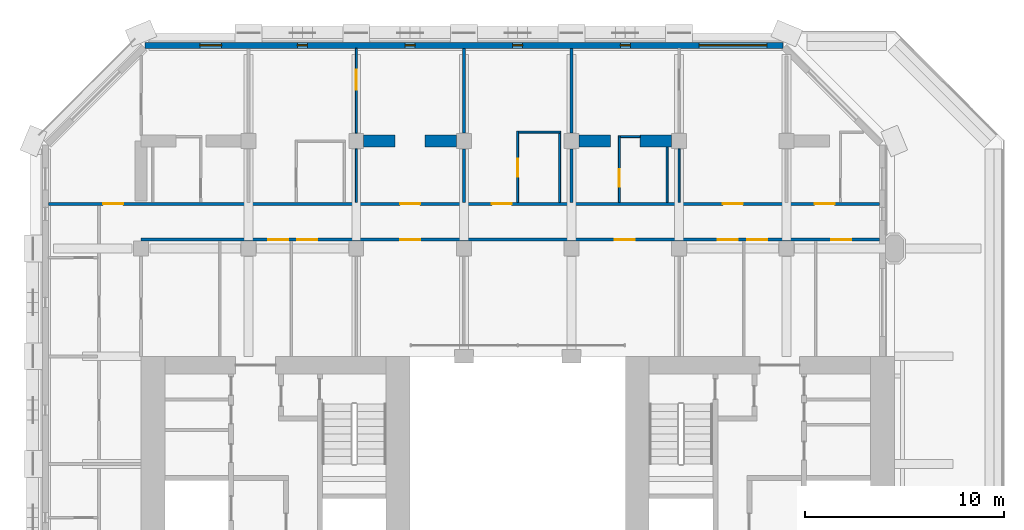
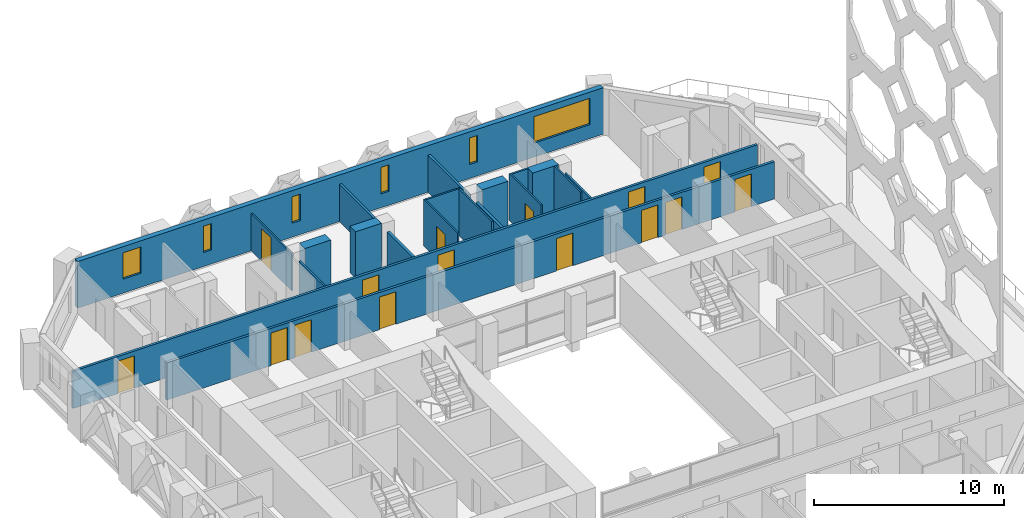
# One storey, part 11 of 15: 20 walls, 15 doors, 6 windows, 21 openings.
"""IFC4 building model written with IfcOpenShell, lengths in metres."""

from ifc_helpers import new_model, si_unit, direction, frame, frame_2d, origin, place, context, subcontext, project, spatial, rectangle, extrude, material, layer, layer_set, type_object, element, fill, save


model = new_model("IFC4")

# Units and contexts
model_context = context("Model", 3, precision=1e-05, world=origin(), true_north=direction((0.0, 1.0)))
body_context = subcontext(model_context, "Body", "Model", "MODEL_VIEW")
ifc_project = project(units=[si_unit("LENGTHUNIT", "METRE"), si_unit("AREAUNIT", "SQUARE_METRE"), si_unit("VOLUMEUNIT", "CUBIC_METRE"), si_unit("PLANEANGLEUNIT", "RADIAN"), si_unit("MASSUNIT", "GRAM", prefix="KILO")], contexts=[model_context])

# Site, building, storey
site_placement = place(None, origin())
site = spatial("IfcSite", under=ifc_project, at=site_placement, CompositionType="ELEMENT")
building_placement = place(site_placement, origin())
building = spatial("IfcBuilding", under=site, at=building_placement, Name="Tabaq Tower and Sports Hall", CompositionType="ELEMENT")
storey_placement = place(building_placement, frame((0.0, 0.0, 207.10009765625)))
storey = spatial("IfcBuildingStorey", under=building, at=storey_placement, Name="L51", CompositionType="ELEMENT", Elevation=207.10009765625)

# Wall
ifc_material_1 = material(Name="Gypsum board on steel studs", Category="steel")
ifc_layer_1 = layer(ifc_material_1, 0.10009765625)
ifc_layer_set_1 = layer_set([ifc_layer_1], Name="Partition 100 Gypsum board")
wall_type_1 = type_object("IfcWallType", Name="Partition 100 Gypsum board", PredefinedType="PARTITIONING", material=ifc_layer_set_1)
wall_1_placement = place(storey_placement, frame((32.39990234375, 40.125, 0.0), z_axis=(0.0, 0.0, 1.0), x_axis=(0.0, 1.0, 0.0)))
element("IfcWall", 1, at=wall_1_placement, inside=storey, type_object=wall_type_1, Name="Partition wall L51", PredefinedType="PARTITIONING", context=body_context, shape_type="SweptSolid", body=[
    extrude(rectangle(XDim=2.679931640625, YDim=0.10009765625, at=frame_2d((1.33984375, 0.0))), origin(), (0.0, 0.0, 1.0), 2.39990234375),
])

# Wall, opening, door
wall_2_placement = place(storey_placement, frame((29.39990234375, 40.125, 0.0), z_axis=(0.0, 0.0, 1.0), x_axis=(0.0, 1.0, 0.0)))
wall_2 = element("IfcWall", 2, at=wall_2_placement, inside=storey, type_object=wall_type_1, Name="Partition wall L51", PredefinedType="PARTITIONING", context=body_context, shape_type="SweptSolid", body=[
    extrude(rectangle(XDim=3.35009765625, YDim=0.10009765625, at=frame_2d((1.675048828125, 0.0))), origin(), (0.0, 0.0, 1.0), 3.0),
])
opening_1_placement = place(wall_2_placement, frame((0.77197265625, 0.0, 0.0)))
opening_1 = element("IfcOpeningElement", 3, at=opening_1_placement, cuts=wall_2, Name="Opening L51-003", PredefinedType="OPENING", context=body_context, shape_type="SweptSolid", body=[
    extrude(rectangle(XDim=0.89990234375, YDim=2.10009765625, at=frame_2d((0.449951171875, 1.050048828125))), frame((0.0, 0.050048828125, 0.0), z_axis=(0.0, -1.0, 0.0), x_axis=(1.0, 0.0, 0.0)), (0.0, 0.0, 1.0), 0.10009765625),
])
ifc_material_2 = material(Name="Timber leaf in steel frame", Category="steel")
door_type_1 = type_object("IfcDoorType", Name="Internal door 900 right hand", OperationType="SINGLE_SWING_RIGHT", PredefinedType="DOOR", material=ifc_material_2)
door_1_placement = place(opening_1_placement, origin())
door_1 = element("IfcDoor", 4, at=door_1_placement, inside=storey, type_object=door_type_1, Name="Internal door L51-003", OperationType="SINGLE_SWING_RIGHT", OverallHeight=2.10009765625, OverallWidth=0.89990234375, PredefinedType="DOOR", context=body_context, shape_type="SweptSolid", body=[
    extrude(rectangle(XDim=0.89990234375, YDim=2.10009765625, at=frame_2d((0.449951171875, 1.050048828125))), frame((0.0, 0.02490234375, 0.0), z_axis=(0.0, -1.0, 0.0), x_axis=(1.0, 0.0, 0.0)), (0.0, 0.0, 1.0), 0.050048828125),
])
fill(opening_1, door_1)

# Walls
wall_3_placement = place(storey_placement, frame((29.449951171875, 43.425048828125, 0.0), z_axis=(0.0, 0.0, 1.0), x_axis=(1.0, 0.0, 0.0)))
element("IfcWall", 5, at=wall_3_placement, inside=storey, type_object=wall_type_1, Name="Partition wall L51", PredefinedType="PARTITIONING", context=body_context, shape_type="SweptSolid", body=[
    extrude(rectangle(XDim=1.0, YDim=0.10009765625, at=frame_2d((0.5, 0.0))), origin(), (0.0, 0.0, 1.0), 3.0),
])
wall_4_placement = place(storey_placement, frame((31.800048828125, 42.89892578125, 0.0), z_axis=(0.0, 0.0, 1.0), x_axis=(0.0, -1.0, 0.0)))
element("IfcWall", 6, at=wall_4_placement, inside=storey, type_object=wall_type_1, Name="Partition wall L51", PredefinedType="PARTITIONING", context=body_context, shape_type="SweptSolid", body=[
    extrude(rectangle(XDim=2.77392578125, YDim=0.10009765625, at=frame_2d((1.386962890625, 0.0))), origin(), (0.0, 0.0, 1.0), 3.0),
])

# Wall, opening, door
wall_5_placement = place(storey_placement, frame((24.300048828125, 40.125, 0.0), z_axis=(0.0, 0.0, 1.0), x_axis=(0.0, 1.0, 0.0)))
wall_5 = element("IfcWall", 7, at=wall_5_placement, inside=storey, type_object=wall_type_1, Name="Partition wall L51", PredefinedType="PARTITIONING", context=body_context, shape_type="SweptSolid", body=[
    extrude(rectangle(XDim=3.574951171875, YDim=0.10009765625, at=frame_2d((1.78759765625, 0.0))), origin(), (0.0, 0.0, 1.0), 3.0),
])
opening_2_placement = place(wall_5_placement, frame((1.27490234375, 0.0, 0.0)))
opening_2 = element("IfcOpeningElement", 8, at=opening_2_placement, cuts=wall_5, Name="Opening L51-004", PredefinedType="OPENING", context=body_context, shape_type="SweptSolid", body=[
    extrude(rectangle(XDim=0.89990234375, YDim=2.10009765625, at=frame_2d((0.449951171875, 1.050048828125))), frame((0.0, 0.050048828125, 0.0), z_axis=(0.0, -1.0, 0.0), x_axis=(1.0, 0.0, 0.0)), (0.0, 0.0, 1.0), 0.10009765625),
])
ifc_material_3 = material(Name="Timber leaf in steel frame", Category="steel")
door_type_2 = type_object("IfcDoorType", Name="Internal door 900 left hand", OperationType="SINGLE_SWING_LEFT", PredefinedType="DOOR", material=ifc_material_3)
door_2_placement = place(opening_2_placement, origin())
door_2 = element("IfcDoor", 9, at=door_2_placement, inside=storey, type_object=door_type_2, Name="Internal door L51-004", OperationType="SINGLE_SWING_LEFT", OverallHeight=2.10009765625, OverallWidth=0.89990234375, PredefinedType="DOOR", context=body_context, shape_type="SweptSolid", body=[
    extrude(rectangle(XDim=0.89990234375, YDim=2.10009765625, at=frame_2d((0.449951171875, 1.050048828125))), frame((0.0, 0.02490234375, 0.0), z_axis=(0.0, -1.0, 0.0), x_axis=(1.0, 0.0, 0.0)), (0.0, 0.0, 1.0), 0.050048828125),
])
fill(opening_2, door_2)

# Walls
wall_6_placement = place(storey_placement, frame((24.35009765625, 43.64990234375, 0.0), z_axis=(0.0, 0.0, 1.0), x_axis=(1.0, 0.0, 0.0)))
element("IfcWall", 10, at=wall_6_placement, inside=storey, type_object=wall_type_1, Name="Partition wall L51", PredefinedType="PARTITIONING", context=body_context, shape_type="SweptSolid", body=[
    extrude(rectangle(XDim=2.099853515625, YDim=0.10009765625, at=frame_2d((1.0498046875, 0.0))), origin(), (0.0, 0.0, 1.0), 3.0),
])
wall_7_placement = place(storey_placement, frame((26.39990234375, 43.60009765625, 0.0), z_axis=(0.0, 0.0, 1.0), x_axis=(0.0, -1.0, 0.0)))
element("IfcWall", 11, at=wall_7_placement, inside=storey, type_object=wall_type_1, Name="Partition wall L51", PredefinedType="PARTITIONING", context=body_context, shape_type="SweptSolid", body=[
    extrude(rectangle(XDim=3.47509765625, YDim=0.10009765625, at=frame_2d((1.737548828125, 0.0))), origin(), (0.0, 0.0, 1.0), 3.0),
])
wall_8_placement = place(storey_placement, frame((16.199951171875, 40.125, 0.0), z_axis=(0.0, 0.0, 1.0), x_axis=(0.0, 1.0, 0.0)))
element("IfcWall", 12, at=wall_8_placement, inside=storey, type_object=wall_type_1, Name="Partition wall L51", PredefinedType="PARTITIONING", context=body_context, shape_type="SweptSolid", body=[
    extrude(rectangle(XDim=2.679931640625, YDim=0.10009765625, at=frame_2d((1.33984375, 0.0))), origin(), (0.0, 0.0, 1.0), 2.39990234375),
])

# Wall, opening, door
wall_9_placement = place(storey_placement, frame((16.199951171875, 43.594970703125, 0.0), z_axis=(0.0, 0.0, 1.0), x_axis=(0.0, 1.0, 0.0)))
wall_9 = element("IfcWall", 13, at=wall_9_placement, inside=storey, type_object=wall_type_1, Name="Partition wall L51", PredefinedType="PARTITIONING", context=body_context, shape_type="SweptSolid", body=[
    extrude(rectangle(XDim=4.254150390625, YDim=0.10009765625, at=frame_2d((2.126953125, 0.0))), origin(), (0.0, 0.0, 1.0), 2.39990234375),
])
opening_3_placement = place(wall_9_placement, frame((2.179931640625, 0.0, 0.0)))
opening_3 = element("IfcOpeningElement", 14, at=opening_3_placement, cuts=wall_9, Name="Opening L51-032", PredefinedType="OPENING", context=body_context, shape_type="SweptSolid", body=[
    extrude(rectangle(XDim=1.0, YDim=2.10009765625, at=frame_2d((0.5, 1.050048828125))), frame((0.0, 0.050048828125, 0.0), z_axis=(0.0, -1.0, 0.0), x_axis=(1.0, 0.0, 0.0)), (0.0, 0.0, 1.0), 0.10009765625),
])
ifc_material_4 = material(Name="Timber leaf in steel frame", Category="steel")
door_type_3 = type_object("IfcDoorType", Name="Internal door 1000 left hand", OperationType="SINGLE_SWING_LEFT", PredefinedType="DOOR", material=ifc_material_4)
door_3_placement = place(opening_3_placement, origin())
door_3 = element("IfcDoor", 15, at=door_3_placement, inside=storey, type_object=door_type_3, Name="Internal door L51-032", OperationType="SINGLE_SWING_LEFT", OverallHeight=2.10009765625, OverallWidth=1.0, PredefinedType="DOOR", context=body_context, shape_type="SweptSolid", body=[
    extrude(rectangle(XDim=1.0, YDim=2.10009765625, at=frame_2d((0.5, 1.050048828125))), frame((0.0, 0.02490234375, 0.0), z_axis=(0.0, -1.0, 0.0), x_axis=(1.0, 0.0, 0.0)), (0.0, 0.0, 1.0), 0.050048828125),
])
fill(opening_3, door_3)

# Walls
ifc_material_5 = material(Name="Concrete C50/60", Category="concrete")
ifc_layer_2 = layer(ifc_material_5, 0.60009765625)
ifc_layer_set_2 = layer_set([ifc_layer_2], Name="RC TRANSFER WALL 600 C50/60")
wall_type_2 = type_object("IfcWallType", Name="RC TRANSFER WALL 600 C50/60", PredefinedType="SHEAR", material=ifc_layer_set_2)
wall_10_placement = place(storey_placement, frame((16.574951171875, 43.199951171875, 0.0), z_axis=(0.0, 0.0, 1.0), x_axis=(1.0, 0.0, 0.0)))
element("IfcWall", 16, at=wall_10_placement, inside=storey, type_object=wall_type_2, Name="Transfer Wall L51 North 6", PredefinedType="SHEAR", context=body_context, shape_type="SweptSolid", body=[
    extrude(rectangle(XDim=1.574951171875, YDim=0.60009765625, at=frame_2d((0.78759765625, 0.0))), origin(), (0.0, 0.0, 1.0), 3.0),
])
wall_11_placement = place(storey_placement, frame((19.64990234375, 43.199951171875, 0.0), z_axis=(0.0, 0.0, 1.0), x_axis=(1.0, 0.0, 0.0)))
element("IfcWall", 17, at=wall_11_placement, inside=storey, type_object=wall_type_2, Name="Transfer Wall L51 North 7", PredefinedType="SHEAR", context=body_context, shape_type="SweptSolid", body=[
    extrude(rectangle(XDim=1.5751953125, YDim=0.60009765625, at=frame_2d((0.78759765625, 0.0))), origin(), (0.0, 0.0, 1.0), 3.0),
])
for number, where, z_axis, x_axis, name in (
    (18, (27.375, 43.199951171875, 0.0), (0.0, 0.0, 1.0), (1.0, 0.0, 0.0), "Transfer Wall L51 North 8"),
    (19, (30.449951171875, 43.199951171875, 0.0), (0.0, 0.0, 1.0), (1.0, 0.0, 0.0), "Transfer Wall L51 North 9"),
):
    element("IfcWall", number, at=place(storey_placement, frame(where, z_axis=z_axis, x_axis=x_axis)), inside=storey, type_object=wall_type_2, Name=name, PredefinedType="SHEAR", context=body_context, shape_type="SweptSolid", body=[
        extrude(rectangle(XDim=1.574951171875, YDim=0.60009765625, at=frame_2d((0.78759765625, 0.0))), origin(), (0.0, 0.0, 1.0), 3.0),
    ])
ifc_material_6 = material(Name="Blockwork", Category="masonry")
ifc_layer_3 = layer(ifc_material_6, 0.14990234375)
ifc_layer_set_3 = layer_set([ifc_layer_3], Name="Separating wall 150 Blockwork")
wall_type_3 = type_object("IfcWallType", Name="Separating wall 150 Blockwork", PredefinedType="PARTITIONING", material=ifc_layer_set_3)
wall_12_placement = place(storey_placement, frame((27.0, 47.84912109375, 0.0), z_axis=(0.0, 0.0, 1.0), x_axis=(0.0, -1.0, 0.0)))
element("IfcWall", 20, at=wall_12_placement, inside=storey, type_object=wall_type_3, Name="Separating wall L51", PredefinedType="PARTITIONING", context=body_context, shape_type="SweptSolid", body=[
    extrude(rectangle(XDim=4.254150390625, YDim=0.14990234375, at=frame_2d((2.126953125, 0.0))), origin(), (0.0, 0.0, 1.0), 2.39990234375),
])
wall_13_placement = place(storey_placement, frame((27.0, 42.804931640625, 0.0), z_axis=(0.0, 0.0, 1.0), x_axis=(0.0, -1.0, 0.0)))
element("IfcWall", 21, at=wall_13_placement, inside=storey, type_object=wall_type_3, Name="Separating wall L51", PredefinedType="PARTITIONING", context=body_context, shape_type="SweptSolid", body=[
    extrude(rectangle(XDim=2.679931640625, YDim=0.14990234375, at=frame_2d((1.33984375, 0.0))), origin(), (0.0, 0.0, 1.0), 2.39990234375),
])
wall_14_placement = place(storey_placement, frame((21.60009765625, 47.84912109375, 0.0), z_axis=(0.0, 0.0, 1.0), x_axis=(0.0, -1.0, 0.0)))
element("IfcWall", 22, at=wall_14_placement, inside=storey, type_object=wall_type_3, Name="Separating wall L51", PredefinedType="PARTITIONING", context=body_context, shape_type="SweptSolid", body=[
    extrude(rectangle(XDim=4.254150390625, YDim=0.14990234375, at=frame_2d((2.126953125, 0.0))), origin(), (0.0, 0.0, 1.0), 2.39990234375),
])
wall_15_placement = place(storey_placement, frame((21.60009765625, 42.804931640625, 0.0), z_axis=(0.0, 0.0, 1.0), x_axis=(0.0, -1.0, 0.0)))
element("IfcWall", 23, at=wall_15_placement, inside=storey, type_object=wall_type_3, Name="Separating wall L51", PredefinedType="PARTITIONING", context=body_context, shape_type="SweptSolid", body=[
    extrude(rectangle(XDim=2.679931640625, YDim=0.14990234375, at=frame_2d((1.33984375, 0.0))), origin(), (0.0, 0.0, 1.0), 2.39990234375),
])

# Wall, openings, doors
wall_16_placement = place(storey_placement, frame((42.448974609375, 40.050048828125, 0.0), z_axis=(0.0, 0.0, 1.0), x_axis=(-1.0, 0.0, 0.0)))
wall_16 = element("IfcWall", 24, at=wall_16_placement, inside=storey, type_object=wall_type_3, Name="Separating wall L51", PredefinedType="PARTITIONING", context=body_context, shape_type="SweptSolid", body=[
    extrude(rectangle(XDim=41.697998046875, YDim=0.14990234375, at=frame_2d((20.84912109375, 0.0))), origin(), (0.0, 0.0, 1.0), 2.39990234375),
])
opening_4_placement = place(wall_16_placement, frame((2.2490234375, 0.0, 0.0)))
opening_4 = element("IfcOpeningElement", 25, at=opening_4_placement, cuts=wall_16, Name="Opening L51-028", PredefinedType="OPENING", context=body_context, shape_type="SweptSolid", body=[
    extrude(rectangle(XDim=1.0, YDim=2.10009765625, at=frame_2d((0.5, 1.050048828125))), frame((0.0, 0.074951171875, 0.0), z_axis=(0.0, -1.0, 0.0), x_axis=(1.0, 0.0, 0.0)), (0.0, 0.0, 1.0), 0.14990234375),
])
opening_5_placement = place(wall_16_placement, frame((6.84912109375, 0.0, 0.0)))
opening_5 = element("IfcOpeningElement", 26, at=opening_5_placement, cuts=wall_16, Name="Opening L51-030", PredefinedType="OPENING", context=body_context, shape_type="SweptSolid", body=[
    extrude(rectangle(XDim=1.0, YDim=2.10009765625, at=frame_2d((0.5, 1.050048828125))), frame((0.0, 0.074951171875, 0.0), z_axis=(0.0, -1.0, 0.0), x_axis=(1.0, 0.0, 0.0)), (0.0, 0.0, 1.0), 0.14990234375),
])
opening_6_placement = place(wall_16_placement, frame((18.448974609375, 0.0, 0.0)))
opening_6 = element("IfcOpeningElement", 27, at=opening_6_placement, cuts=wall_16, Name="Opening L51-031", PredefinedType="OPENING", context=body_context, shape_type="SweptSolid", body=[
    extrude(rectangle(XDim=1.0, YDim=2.10009765625, at=frame_2d((0.5, 1.050048828125))), frame((0.0, 0.074951171875, 0.0), z_axis=(0.0, -1.0, 0.0), x_axis=(1.0, 0.0, 0.0)), (0.0, 0.0, 1.0), 0.14990234375),
])
opening_7_placement = place(wall_16_placement, frame((23.049072265625, 0.0, 0.0)))
opening_7 = element("IfcOpeningElement", 28, at=opening_7_placement, cuts=wall_16, Name="Opening L51-033", PredefinedType="OPENING", context=body_context, shape_type="SweptSolid", body=[
    extrude(rectangle(XDim=1.0, YDim=2.10009765625, at=frame_2d((0.5, 1.050048828125))), frame((0.0, 0.074951171875, 0.0), z_axis=(0.0, -1.0, 0.0), x_axis=(1.0, 0.0, 0.0)), (0.0, 0.0, 1.0), 0.14990234375),
])
opening_8_placement = place(wall_16_placement, frame((37.9541015625, 0.0, 0.0)))
opening_8 = element("IfcOpeningElement", 29, at=opening_8_placement, cuts=wall_16, Name="Opening L51-035", PredefinedType="OPENING", context=body_context, shape_type="SweptSolid", body=[
    extrude(rectangle(XDim=1.0, YDim=2.10009765625, at=frame_2d((0.5, 1.050048828125))), frame((0.0, 0.074951171875, 0.0), z_axis=(0.0, -1.0, 0.0), x_axis=(1.0, 0.0, 0.0)), (0.0, 0.0, 1.0), 0.14990234375),
])
ifc_material_7 = material(Name="Steel fire door", Category="steel")
door_type_4 = type_object("IfcDoorType", Name="Entrance door 1000 left hand", OperationType="SINGLE_SWING_LEFT", PredefinedType="DOOR", material=ifc_material_7)
door_4_placement = place(opening_6_placement, origin())
door_4 = element("IfcDoor", 30, at=door_4_placement, inside=storey, type_object=door_type_4, Name="Entrance door L51-031", OperationType="SINGLE_SWING_LEFT", OverallHeight=2.10009765625, OverallWidth=1.0, PredefinedType="DOOR", context=body_context, shape_type="SweptSolid", body=[
    extrude(rectangle(XDim=1.0, YDim=2.10009765625, at=frame_2d((0.5, 1.050048828125))), frame((0.0, 0.02490234375, 0.0), z_axis=(0.0, -1.0, 0.0), x_axis=(1.0, 0.0, 0.0)), (0.0, 0.0, 1.0), 0.050048828125),
])
fill(opening_6, door_4)
door_5_placement = place(opening_7_placement, origin())
door_5 = element("IfcDoor", 31, at=door_5_placement, inside=storey, type_object=door_type_4, Name="Entrance door L51-033", OperationType="SINGLE_SWING_LEFT", OverallHeight=2.10009765625, OverallWidth=1.0, PredefinedType="DOOR", context=body_context, shape_type="SweptSolid", body=[
    extrude(rectangle(XDim=1.0, YDim=2.10009765625, at=frame_2d((0.5, 1.050048828125))), frame((0.0, 0.02490234375, 0.0), z_axis=(0.0, -1.0, 0.0), x_axis=(1.0, 0.0, 0.0)), (0.0, 0.0, 1.0), 0.050048828125),
])
fill(opening_7, door_5)
door_6_placement = place(opening_8_placement, origin())
door_6 = element("IfcDoor", 32, at=door_6_placement, inside=storey, type_object=door_type_4, Name="Entrance door L51-035", OperationType="SINGLE_SWING_LEFT", OverallHeight=2.10009765625, OverallWidth=1.0, PredefinedType="DOOR", context=body_context, shape_type="SweptSolid", body=[
    extrude(rectangle(XDim=1.0, YDim=2.10009765625, at=frame_2d((0.5, 1.050048828125))), frame((0.0, 0.02490234375, 0.0), z_axis=(0.0, -1.0, 0.0), x_axis=(1.0, 0.0, 0.0)), (0.0, 0.0, 1.0), 0.050048828125),
])
fill(opening_8, door_6)
ifc_material_8 = material(Name="Steel fire door", Category="steel")
door_type_5 = type_object("IfcDoorType", Name="Entrance door 1000 right hand", OperationType="SINGLE_SWING_RIGHT", PredefinedType="DOOR", material=ifc_material_8)
door_7_placement = place(opening_4_placement, origin())
door_7 = element("IfcDoor", 33, at=door_7_placement, inside=storey, type_object=door_type_5, Name="Entrance door L51-028", OperationType="SINGLE_SWING_RIGHT", OverallHeight=2.10009765625, OverallWidth=1.0, PredefinedType="DOOR", context=body_context, shape_type="SweptSolid", body=[
    extrude(rectangle(XDim=1.0, YDim=2.10009765625, at=frame_2d((0.5, 1.050048828125))), frame((0.0, 0.02490234375, 0.0), z_axis=(0.0, -1.0, 0.0), x_axis=(1.0, 0.0, 0.0)), (0.0, 0.0, 1.0), 0.050048828125),
])
fill(opening_4, door_7)
door_8_placement = place(opening_5_placement, origin())
door_8 = element("IfcDoor", 34, at=door_8_placement, inside=storey, type_object=door_type_5, Name="Entrance door L51-030", OperationType="SINGLE_SWING_RIGHT", OverallHeight=2.10009765625, OverallWidth=1.0, PredefinedType="DOOR", context=body_context, shape_type="SweptSolid", body=[
    extrude(rectangle(XDim=1.0, YDim=2.10009765625, at=frame_2d((0.5, 1.050048828125))), frame((0.0, 0.02490234375, 0.0), z_axis=(0.0, -1.0, 0.0), x_axis=(1.0, 0.0, 0.0)), (0.0, 0.0, 1.0), 0.050048828125),
])
fill(opening_5, door_8)

wall_17_placement = place(storey_placement, frame((42.448974609375, 38.25, 0.0), z_axis=(0.0, 0.0, 1.0), x_axis=(-1.0, 0.0, 0.0)))
wall_17 = element("IfcWall", 35, at=wall_17_placement, inside=storey, type_object=wall_type_3, Name="Separating wall L51", PredefinedType="PARTITIONING", context=body_context, shape_type="SweptSolid", body=[
    extrude(rectangle(XDim=37.049072265625, YDim=0.14990234375, at=frame_2d((18.5244140625, 0.0))), origin(), (0.0, 0.0, 1.0), 2.39990234375),
])
opening_9_placement = place(wall_17_placement, frame((12.26611328125, 0.0, 0.0)))
opening_9 = element("IfcOpeningElement", 36, at=opening_9_placement, cuts=wall_17, Name="Opening L51-007", PredefinedType="OPENING", context=body_context, shape_type="SweptSolid", body=[
    extrude(rectangle(XDim=1.0, YDim=2.10009765625, at=frame_2d((0.5, 1.050048828125))), frame((0.0, 0.074951171875, 0.0), z_axis=(0.0, -1.0, 0.0), x_axis=(1.0, 0.0, 0.0)), (0.0, 0.0, 1.0), 0.14990234375),
])
opening_10_placement = place(wall_17_placement, frame((23.049072265625, 0.0, 0.0)))
opening_10 = element("IfcOpeningElement", 37, at=opening_10_placement, cuts=wall_17, Name="Opening L51-008", PredefinedType="OPENING", context=body_context, shape_type="SweptSolid", body=[
    extrude(rectangle(XDim=1.0, YDim=2.10009765625, at=frame_2d((0.5, 1.050048828125))), frame((0.0, 0.074951171875, 0.0), z_axis=(0.0, -1.0, 0.0), x_axis=(1.0, 0.0, 0.0)), (0.0, 0.0, 1.0), 0.14990234375),
])
opening_11_placement = place(wall_17_placement, frame((1.408935546875, 0.0, 0.0)))
opening_11 = element("IfcOpeningElement", 38, at=opening_11_placement, cuts=wall_17, Name="Opening L51-010", PredefinedType="OPENING", context=body_context, shape_type="SweptSolid", body=[
    extrude(rectangle(XDim=1.0, YDim=2.10009765625, at=frame_2d((0.5, 1.050048828125))), frame((0.0, 0.074951171875, 0.0), z_axis=(0.0, -1.0, 0.0), x_axis=(1.0, 0.0, 0.0)), (0.0, 0.0, 1.0), 0.14990234375),
])
opening_12_placement = place(wall_17_placement, frame((28.198974609375, 0.0, 0.0)))
opening_12 = element("IfcOpeningElement", 39, at=opening_12_placement, cuts=wall_17, Name="Opening L51-011", PredefinedType="OPENING", context=body_context, shape_type="SweptSolid", body=[
    extrude(rectangle(XDim=1.0, YDim=2.10009765625, at=frame_2d((0.5, 1.050048828125))), frame((0.0, 0.074951171875, 0.0), z_axis=(0.0, -1.0, 0.0), x_axis=(1.0, 0.0, 0.0)), (0.0, 0.0, 1.0), 0.14990234375),
])
opening_13_placement = place(wall_17_placement, frame((7.09912109375, 0.0, 0.0)))
opening_13 = element("IfcOpeningElement", 40, at=opening_13_placement, cuts=wall_17, Name="Opening L51-013", PredefinedType="OPENING", context=body_context, shape_type="SweptSolid", body=[
    extrude(rectangle(XDim=1.0, YDim=2.10009765625, at=frame_2d((0.5, 1.050048828125))), frame((0.0, 0.074951171875, 0.0), z_axis=(0.0, -1.0, 0.0), x_axis=(1.0, 0.0, 0.0)), (0.0, 0.0, 1.0), 0.14990234375),
])
opening_14_placement = place(wall_17_placement, frame((5.62890625, 0.0, 0.0)))
opening_14 = element("IfcOpeningElement", 41, at=opening_14_placement, cuts=wall_17, Name="Opening L51-036", PredefinedType="OPENING", context=body_context, shape_type="SweptSolid", body=[
    extrude(rectangle(XDim=1.0, YDim=2.10009765625, at=frame_2d((0.5, 1.050048828125))), frame((0.0, 0.074951171875, 0.0), z_axis=(0.0, -1.0, 0.0), x_axis=(1.0, 0.0, 0.0)), (0.0, 0.0, 1.0), 0.14990234375),
])
opening_15_placement = place(wall_17_placement, frame((29.6689453125, 0.0, 0.0)))
opening_15 = element("IfcOpeningElement", 42, at=opening_15_placement, cuts=wall_17, Name="Opening L51-037", PredefinedType="OPENING", context=body_context, shape_type="SweptSolid", body=[
    extrude(rectangle(XDim=1.0, YDim=2.10009765625, at=frame_2d((0.5, 1.050048828125))), frame((0.0, 0.074951171875, 0.0), z_axis=(0.0, -1.0, 0.0), x_axis=(1.0, 0.0, 0.0)), (0.0, 0.0, 1.0), 0.14990234375),
])
door_9_placement = place(opening_9_placement, origin())
door_9 = element("IfcDoor", 43, at=door_9_placement, inside=storey, type_object=door_type_3, Name="Internal door L51-007", OperationType="SINGLE_SWING_LEFT", OverallHeight=2.10009765625, OverallWidth=1.0, PredefinedType="DOOR", context=body_context, shape_type="SweptSolid", body=[
    extrude(rectangle(XDim=1.0, YDim=2.10009765625, at=frame_2d((0.5, 1.050048828125))), frame((0.0, 0.02490234375, 0.0), z_axis=(0.0, -1.0, 0.0), x_axis=(1.0, 0.0, 0.0)), (0.0, 0.0, 1.0), 0.050048828125),
])
fill(opening_9, door_9)
door_10_placement = place(opening_13_placement, origin())
door_10 = element("IfcDoor", 44, at=door_10_placement, inside=storey, type_object=door_type_3, Name="Internal door L51-013", OperationType="SINGLE_SWING_LEFT", OverallHeight=2.10009765625, OverallWidth=1.0, PredefinedType="DOOR", context=body_context, shape_type="SweptSolid", body=[
    extrude(rectangle(XDim=1.0, YDim=2.10009765625, at=frame_2d((0.5, 1.050048828125))), frame((0.0, 0.02490234375, 0.0), z_axis=(0.0, -1.0, 0.0), x_axis=(1.0, 0.0, 0.0)), (0.0, 0.0, 1.0), 0.050048828125),
])
fill(opening_13, door_10)
door_11_placement = place(opening_14_placement, origin())
door_11 = element("IfcDoor", 45, at=door_11_placement, inside=storey, type_object=door_type_3, Name="Internal door L51-036", OperationType="SINGLE_SWING_LEFT", OverallHeight=2.10009765625, OverallWidth=1.0, PredefinedType="DOOR", context=body_context, shape_type="SweptSolid", body=[
    extrude(rectangle(XDim=1.0, YDim=2.10009765625, at=frame_2d((0.5, 1.050048828125))), frame((0.0, 0.02490234375, 0.0), z_axis=(0.0, -1.0, 0.0), x_axis=(1.0, 0.0, 0.0)), (0.0, 0.0, 1.0), 0.050048828125),
])
fill(opening_14, door_11)
ifc_material_9 = material(Name="Timber leaf in steel frame", Category="steel")
door_type_6 = type_object("IfcDoorType", Name="Internal door 1000 right hand", OperationType="SINGLE_SWING_RIGHT", PredefinedType="DOOR", material=ifc_material_9)
door_12_placement = place(opening_10_placement, origin())
door_12 = element("IfcDoor", 46, at=door_12_placement, inside=storey, type_object=door_type_6, Name="Internal door L51-008", OperationType="SINGLE_SWING_RIGHT", OverallHeight=2.10009765625, OverallWidth=1.0, PredefinedType="DOOR", context=body_context, shape_type="SweptSolid", body=[
    extrude(rectangle(XDim=1.0, YDim=2.10009765625, at=frame_2d((0.5, 1.050048828125))), frame((0.0, 0.02490234375, 0.0), z_axis=(0.0, -1.0, 0.0), x_axis=(1.0, 0.0, 0.0)), (0.0, 0.0, 1.0), 0.050048828125),
])
fill(opening_10, door_12)
door_13_placement = place(opening_11_placement, origin())
door_13 = element("IfcDoor", 47, at=door_13_placement, inside=storey, type_object=door_type_6, Name="Internal door L51-010", OperationType="SINGLE_SWING_RIGHT", OverallHeight=2.10009765625, OverallWidth=1.0, PredefinedType="DOOR", context=body_context, shape_type="SweptSolid", body=[
    extrude(rectangle(XDim=1.0, YDim=2.10009765625, at=frame_2d((0.5, 1.050048828125))), frame((0.0, 0.02490234375, 0.0), z_axis=(0.0, -1.0, 0.0), x_axis=(1.0, 0.0, 0.0)), (0.0, 0.0, 1.0), 0.050048828125),
])
fill(opening_11, door_13)
door_14_placement = place(opening_12_placement, origin())
door_14 = element("IfcDoor", 48, at=door_14_placement, inside=storey, type_object=door_type_6, Name="Internal door L51-011", OperationType="SINGLE_SWING_RIGHT", OverallHeight=2.10009765625, OverallWidth=1.0, PredefinedType="DOOR", context=body_context, shape_type="SweptSolid", body=[
    extrude(rectangle(XDim=1.0, YDim=2.10009765625, at=frame_2d((0.5, 1.050048828125))), frame((0.0, 0.02490234375, 0.0), z_axis=(0.0, -1.0, 0.0), x_axis=(1.0, 0.0, 0.0)), (0.0, 0.0, 1.0), 0.050048828125),
])
fill(opening_12, door_14)
door_15_placement = place(opening_15_placement, origin())
door_15 = element("IfcDoor", 49, at=door_15_placement, inside=storey, type_object=door_type_6, Name="Internal door L51-037", OperationType="SINGLE_SWING_RIGHT", OverallHeight=2.10009765625, OverallWidth=1.0, PredefinedType="DOOR", context=body_context, shape_type="SweptSolid", body=[
    extrude(rectangle(XDim=1.0, YDim=2.10009765625, at=frame_2d((0.5, 1.050048828125))), frame((0.0, 0.02490234375, 0.0), z_axis=(0.0, -1.0, 0.0), x_axis=(1.0, 0.0, 0.0)), (0.0, 0.0, 1.0), 0.050048828125),
])
fill(opening_15, door_15)

# Wall, openings, windows
ifc_material_10 = material(Name="White precast concrete C60/75", Category="concrete")
ifc_layer_4 = layer(ifc_material_10, 0.300048828125)
ifc_layer_set_4 = layer_set([ifc_layer_4], Name="White precast concrete C60/75 external wall 300")
wall_type_4 = type_object("IfcWallType", Name="White precast concrete C60/75 external wall 300", PredefinedType="SOLIDWALL", material=ifc_layer_set_4)
wall_18_placement = place(storey_placement, frame((37.613525390625, 48.0, 0.0), z_axis=(0.0, 0.0, 1.0), x_axis=(-1.0, 0.0, 0.0)))
wall_18 = element("IfcWall", 50, at=wall_18_placement, inside=storey, type_object=wall_type_4, Name="External Wall L51 N", PredefinedType="SOLIDWALL", context=body_context, shape_type="SweptSolid", body=[
    extrude(rectangle(XDim=32.027099609375, YDim=0.300048828125, at=frame_2d((16.013671875, 0.0))), origin(), (0.0, 0.0, 1.0), 3.0),
])
opening_16_placement = place(wall_18_placement, frame((0.813720703125, 0.0, 0.89990234375)))
opening_16 = element("IfcOpeningElement", 51, at=opening_16_placement, cuts=wall_18, Name="Opening W1A", PredefinedType="OPENING", context=body_context, shape_type="SweptSolid", body=[
    extrude(rectangle(XDim=3.39990234375, YDim=1.699951171875, at=frame_2d((1.699951171875, 0.85009765625))), frame((0.0, 0.16015625, 0.0), z_axis=(0.0, -1.0, 0.0), x_axis=(1.0, 0.0, 0.0)), (0.0, 0.0, 1.0), 0.320068359375),
])
opening_17_placement = place(wall_18_placement, frame((7.66357421875, 0.0, 0.89990234375)))
opening_17 = element("IfcOpeningElement", 52, at=opening_17_placement, cuts=wall_18, Name="Opening W1E", PredefinedType="OPENING", context=body_context, shape_type="SweptSolid", body=[
    extrude(rectangle(XDim=0.5, YDim=1.699951171875, at=frame_2d((0.25, 0.85009765625))), frame((0.0, 0.16015625, 0.0), z_axis=(0.0, -1.0, 0.0), x_axis=(1.0, 0.0, 0.0)), (0.0, 0.0, 1.0), 0.320068359375),
])
opening_18_placement = place(wall_18_placement, frame((13.063720703125, 0.0, 0.89990234375)))
opening_18 = element("IfcOpeningElement", 53, at=opening_18_placement, cuts=wall_18, Name="Opening W1E", PredefinedType="OPENING", context=body_context, shape_type="SweptSolid", body=[
    extrude(rectangle(XDim=0.5, YDim=1.699951171875, at=frame_2d((0.25, 0.85009765625))), frame((0.0, 0.16015625, 0.0), z_axis=(0.0, -1.0, 0.0), x_axis=(1.0, 0.0, 0.0)), (0.0, 0.0, 1.0), 0.320068359375),
])
opening_19_placement = place(wall_18_placement, frame((18.463623046875, 0.0, 0.89990234375)))
opening_19 = element("IfcOpeningElement", 54, at=opening_19_placement, cuts=wall_18, Name="Opening W1E", PredefinedType="OPENING", context=body_context, shape_type="SweptSolid", body=[
    extrude(rectangle(XDim=0.5, YDim=1.699951171875, at=frame_2d((0.25, 0.85009765625))), frame((0.0, 0.16015625, 0.0), z_axis=(0.0, -1.0, 0.0), x_axis=(1.0, 0.0, 0.0)), (0.0, 0.0, 1.0), 0.320068359375),
])
opening_20_placement = place(wall_18_placement, frame((23.863525390625, 0.0, 0.89990234375)))
opening_20 = element("IfcOpeningElement", 55, at=opening_20_placement, cuts=wall_18, Name="Opening W1E", PredefinedType="OPENING", context=body_context, shape_type="SweptSolid", body=[
    extrude(rectangle(XDim=0.5, YDim=1.699951171875, at=frame_2d((0.25, 0.85009765625))), frame((0.0, 0.16015625, 0.0), z_axis=(0.0, -1.0, 0.0), x_axis=(1.0, 0.0, 0.0)), (0.0, 0.0, 1.0), 0.320068359375),
])
opening_21_placement = place(wall_18_placement, frame((28.16357421875, 0.0, 0.89990234375)))
opening_21 = element("IfcOpeningElement", 56, at=opening_21_placement, cuts=wall_18, Name="Opening W1B", PredefinedType="OPENING", context=body_context, shape_type="SweptSolid", body=[
    extrude(rectangle(XDim=1.10009765625, YDim=1.699951171875, at=frame_2d((0.550048828125, 0.85009765625))), frame((0.0, 0.16015625, 0.0), z_axis=(0.0, -1.0, 0.0), x_axis=(1.0, 0.0, 0.0)), (0.0, 0.0, 1.0), 0.320068359375),
])
ifc_material_11 = material(Name="Aluminium framed clear glazing", Category="aluminium")
window_type_1 = type_object("IfcWindowType", Name="Window W1A", PartitioningType="SINGLE_PANEL", PredefinedType="WINDOW", material=ifc_material_11)
window_1_placement = place(opening_16_placement, origin())
window_1 = element("IfcWindow", 57, at=window_1_placement, inside=storey, type_object=window_type_1, Name="Window W1A L51", OverallHeight=1.699951171875, OverallWidth=3.39990234375, PartitioningType="SINGLE_PANEL", PredefinedType="WINDOW", context=body_context, shape_type="SweptSolid", body=[
    extrude(rectangle(XDim=3.39990234375, YDim=1.699951171875, at=frame_2d((1.699951171875, 0.85009765625))), frame((0.0, 0.030029296875, 0.0), z_axis=(0.0, -1.0, 0.0), x_axis=(1.0, 0.0, 0.0)), (0.0, 0.0, 1.0), 0.06005859375),
])
fill(opening_16, window_1)
ifc_material_12 = material(Name="Aluminium framed clear glazing", Category="aluminium")
window_type_2 = type_object("IfcWindowType", Name="Window W1B", PartitioningType="SINGLE_PANEL", PredefinedType="WINDOW", material=ifc_material_12)
window_2_placement = place(opening_21_placement, origin())
window_2 = element("IfcWindow", 58, at=window_2_placement, inside=storey, type_object=window_type_2, Name="Window W1B L51", OverallHeight=1.699951171875, OverallWidth=1.10009765625, PartitioningType="SINGLE_PANEL", PredefinedType="WINDOW", context=body_context, shape_type="SweptSolid", body=[
    extrude(rectangle(XDim=1.10009765625, YDim=1.699951171875, at=frame_2d((0.550048828125, 0.85009765625))), frame((0.0, 0.030029296875, 0.0), z_axis=(0.0, -1.0, 0.0), x_axis=(1.0, 0.0, 0.0)), (0.0, 0.0, 1.0), 0.06005859375),
])
fill(opening_21, window_2)
ifc_material_13 = material(Name="Aluminium framed clear glazing", Category="aluminium")
window_type_3 = type_object("IfcWindowType", Name="Window W1E", PartitioningType="SINGLE_PANEL", PredefinedType="WINDOW", material=ifc_material_13)
window_3_placement = place(opening_17_placement, origin())
window_3 = element("IfcWindow", 59, at=window_3_placement, inside=storey, type_object=window_type_3, Name="Window W1E L51", OverallHeight=1.699951171875, OverallWidth=0.5, PartitioningType="SINGLE_PANEL", PredefinedType="WINDOW", context=body_context, shape_type="SweptSolid", body=[
    extrude(rectangle(XDim=0.5, YDim=1.699951171875, at=frame_2d((0.25, 0.85009765625))), frame((0.0, 0.030029296875, 0.0), z_axis=(0.0, -1.0, 0.0), x_axis=(1.0, 0.0, 0.0)), (0.0, 0.0, 1.0), 0.06005859375),
])
fill(opening_17, window_3)
window_4_placement = place(opening_18_placement, origin())
window_4 = element("IfcWindow", 60, at=window_4_placement, inside=storey, type_object=window_type_3, Name="Window W1E L51", OverallHeight=1.699951171875, OverallWidth=0.5, PartitioningType="SINGLE_PANEL", PredefinedType="WINDOW", context=body_context, shape_type="SweptSolid", body=[
    extrude(rectangle(XDim=0.5, YDim=1.699951171875, at=frame_2d((0.25, 0.85009765625))), frame((0.0, 0.030029296875, 0.0), z_axis=(0.0, -1.0, 0.0), x_axis=(1.0, 0.0, 0.0)), (0.0, 0.0, 1.0), 0.06005859375),
])
fill(opening_18, window_4)
window_5_placement = place(opening_19_placement, origin())
window_5 = element("IfcWindow", 61, at=window_5_placement, inside=storey, type_object=window_type_3, Name="Window W1E L51", OverallHeight=1.699951171875, OverallWidth=0.5, PartitioningType="SINGLE_PANEL", PredefinedType="WINDOW", context=body_context, shape_type="SweptSolid", body=[
    extrude(rectangle(XDim=0.5, YDim=1.699951171875, at=frame_2d((0.25, 0.85009765625))), frame((0.0, 0.030029296875, 0.0), z_axis=(0.0, -1.0, 0.0), x_axis=(1.0, 0.0, 0.0)), (0.0, 0.0, 1.0), 0.06005859375),
])
fill(opening_19, window_5)
window_6_placement = place(opening_20_placement, origin())
window_6 = element("IfcWindow", 62, at=window_6_placement, inside=storey, type_object=window_type_3, Name="Window W1E L51", OverallHeight=1.699951171875, OverallWidth=0.5, PartitioningType="SINGLE_PANEL", PredefinedType="WINDOW", context=body_context, shape_type="SweptSolid", body=[
    extrude(rectangle(XDim=0.5, YDim=1.699951171875, at=frame_2d((0.25, 0.85009765625))), frame((0.0, 0.030029296875, 0.0), z_axis=(0.0, -1.0, 0.0), x_axis=(1.0, 0.0, 0.0)), (0.0, 0.0, 1.0), 0.06005859375),
])
fill(opening_20, window_6)

save(model, "model.ifc")
